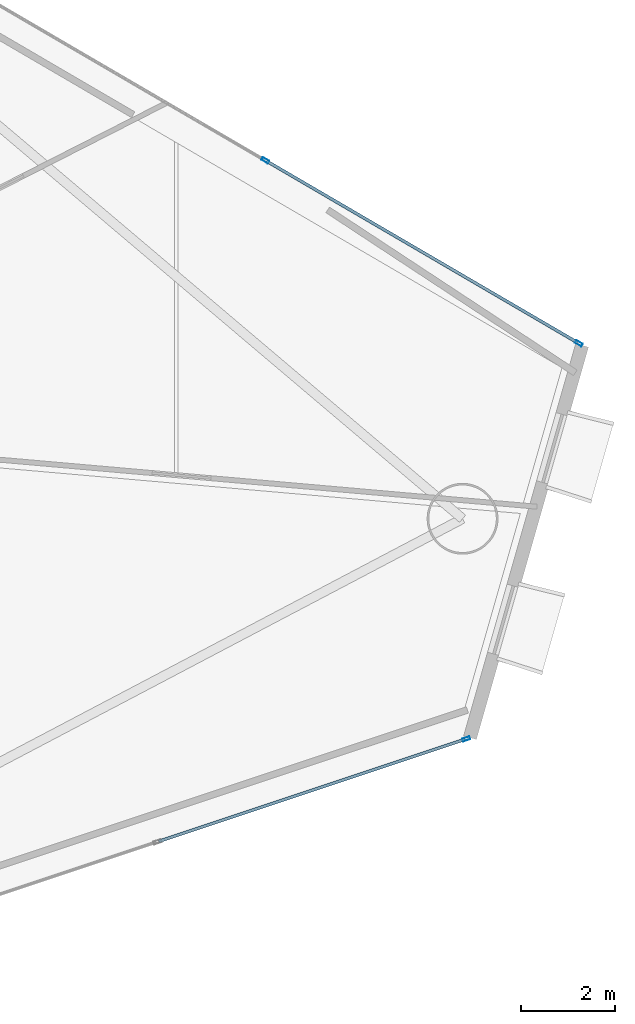
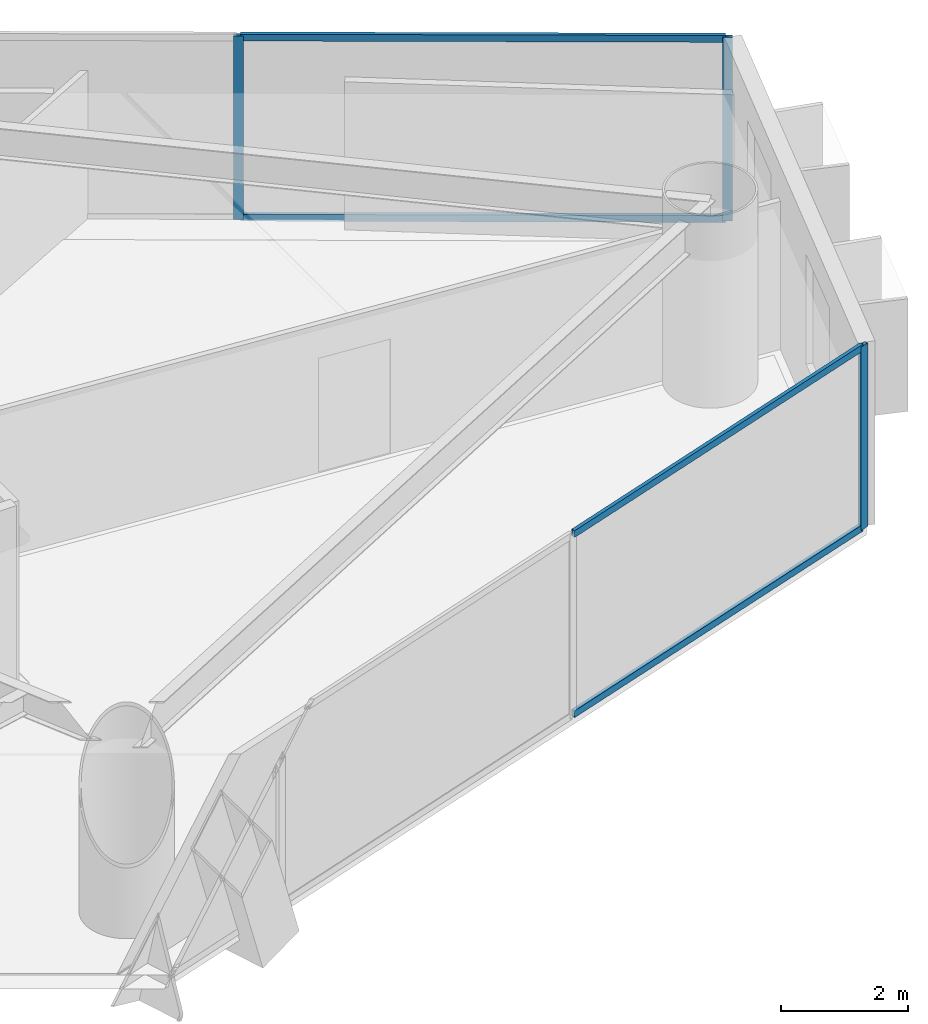
# One storey, part 11 of 19: 7 members, 2 elements without a shape of their own.
"""IFC4 building model written with IfcOpenShell, lengths in metres."""

from ifc_helpers import new_model, si_unit, direction, frame, origin, origin_2d, place, context, subcontext, project, spatial, hollow_rectangle, extrude, material, layer, layer_set, material_profile, profile_set, type_object, element, aggregate, save


model = new_model("IFC4")

# Units and contexts
model_context = context("Model", 3, precision=1e-05, world=origin(), true_north=direction((0.0, 1.0)))
body_context = subcontext(model_context, "Body", "Model", "MODEL_VIEW")
ifc_project = project(units=[si_unit("LENGTHUNIT", "METRE"), si_unit("AREAUNIT", "SQUARE_METRE"), si_unit("VOLUMEUNIT", "CUBIC_METRE"), si_unit("PLANEANGLEUNIT", "RADIAN"), si_unit("MASSUNIT", "GRAM", prefix="KILO")], contexts=[model_context])

# Site, building, storey
site_placement = place(None, origin())
site = spatial("IfcSite", under=ifc_project, at=site_placement, CompositionType="ELEMENT")
building_placement = place(site_placement, origin())
building = spatial("IfcBuilding", under=site, at=building_placement, Name="Qianvela Tower", CompositionType="ELEMENT")
storey_placement = place(building_placement, frame((0.0, 0.0, 120.0)))
storey = spatial("IfcBuildingStorey", under=building, at=storey_placement, Name="L30", CompositionType="ELEMENT", Elevation=120.0)

# Curtain wall, members
ifc_material_1 = material(Name="Anodised Architectural Aluminium and Low-E Glass", Category="aluminium")
ifc_layer = layer(ifc_material_1, 0.169921875)
ifc_layer_set = layer_set([ifc_layer], Name="Anodised Architectural Aluminium and Low-E Glass")
curtain_wall_type = type_object("IfcCurtainWallType", Name="CW-COLIV-Z34", PredefinedType="USERDEFINED", material=ifc_layer_set)
curtain_wall_1_placement = place(storey_placement, origin())
curtain_wall_1 = element("IfcCurtainWall", 1, at=curtain_wall_1_placement, inside=storey, type_object=curtain_wall_type, Name="L30 CW-COLIV-Z34 Curtain Wall 02A", ObjectType="CURTAIN_WALL_SYSTEM", PredefinedType="USERDEFINED")
ifc_material_2 = material(Name="Anodised Architectural Aluminium 6063-T6", Category="aluminium")
ifc_material_profile_1 = material_profile(ifc_material_2, hollow_rectangle(XDim=0.06494140625, YDim=0.159912109375, WallThickness=0.0048828125, at=origin_2d()), Name="ALU-MULL-65x160")
ifc_profile_set_1 = profile_set([ifc_material_profile_1], Name="Anodised Architectural Aluminium 6063-T6")
member_type_1 = type_object("IfcMemberType", Name="CW-COLIV-Z34-MULL", PredefinedType="MULLION", material=ifc_profile_set_1)
member_1_placement = place(storey_placement, frame((59.654296875, 27.670654296875, 0.0), z_axis=(0.0, 0.0, 1.0), x_axis=(-0.504123255422, -0.863631717425, 0.0)))
member_1 = element("IfcMember", 2, at=member_1_placement, type_object=member_type_1, Name="CW-4 mullion 1", PredefinedType="MULLION", context=body_context, shape_type="SweptSolid", body=[
    extrude(hollow_rectangle(XDim=0.06494140625, YDim=0.159912109375, WallThickness=0.0048828125, at=origin_2d()), origin(), (0.0, 0.0, 1.0), 3.52001953125),
])
member_2_placement = place(storey_placement, frame((53.019287109375, 31.543701171875, 0.0), z_axis=(0.0, 0.0, 1.0), x_axis=(-0.504123255422, -0.863631717425, 0.0)))
member_2 = element("IfcMember", 3, at=member_2_placement, type_object=member_type_1, Name="CW-4 mullion 2", PredefinedType="MULLION", context=body_context, shape_type="SweptSolid", body=[
    extrude(hollow_rectangle(XDim=0.06494140625, YDim=0.159912109375, WallThickness=0.0048828125, at=origin_2d()), origin(), (0.0, 0.0, 1.0), 3.52001953125),
])

# Curtain wall, member
curtain_wall_2_placement = place(storey_placement, origin())
curtain_wall_2 = element("IfcCurtainWall", 4, at=curtain_wall_2_placement, inside=storey, type_object=curtain_wall_type, Name="L30 CW-COLIV-Z34 Curtain Wall 06C", ObjectType="CURTAIN_WALL_SYSTEM", PredefinedType="USERDEFINED")
member_3_placement = place(storey_placement, frame((57.274658203125, 19.297607421875, 0.0), z_axis=(0.0, 0.0, 1.0), x_axis=(-0.316195277047, 0.948694127089, 0.0)))
member_3 = element("IfcMember", 5, at=member_3_placement, type_object=member_type_1, Name="CW-4 mullion 3", PredefinedType="MULLION", context=body_context, shape_type="SweptSolid", body=[
    extrude(hollow_rectangle(XDim=0.06494140625, YDim=0.159912109375, WallThickness=0.0048828125, at=origin_2d()), origin(), (0.0, 0.0, 1.0), 3.52001953125),
])

# Member
ifc_material_3 = material(Name="Anodised Architectural Aluminium 6063-T6", Category="aluminium")
ifc_material_profile_2 = material_profile(ifc_material_3, hollow_rectangle(XDim=0.06494140625, YDim=0.1298828125, WallThickness=0.00439453125, at=origin_2d()), Name="ALU-TRAN-65x130")
ifc_profile_set_2 = profile_set([ifc_material_profile_2], Name="Anodised Architectural Aluminium 6063-T6")
member_type_2 = type_object("IfcMemberType", Name="CW-COLIV-Z34-TRAN", PredefinedType="USERDEFINED", material=ifc_profile_set_2)
member_4_placement = place(storey_placement, frame((59.626220703125, 27.68701171875, 0.032470703125), z_axis=(-0.863640540287, 0.504108140356, 0.0), x_axis=(-0.504108140356, -0.863640540287, 0.0)))
member_4 = element("IfcMember", 6, at=member_4_placement, type_object=member_type_2, Name="CW-4 transom 1.1", ObjectType="TRANSOM", PredefinedType="USERDEFINED", context=body_context, shape_type="SweptSolid", body=[
    extrude(hollow_rectangle(XDim=0.06494140625, YDim=0.1298828125, WallThickness=0.00439453125, at=origin_2d()), origin(), (0.0, 0.0, 1.0), 7.61767578125),
])

member_5_placement = place(storey_placement, frame((59.626220703125, 27.68701171875, 3.487548828125), z_axis=(-0.863640540287, 0.504108140356, 0.0), x_axis=(-0.504108140356, -0.863640540287, 0.0)))
member_5 = element("IfcMember", 7, at=member_5_placement, type_object=member_type_2, Name="CW-4 transom 1.2", ObjectType="TRANSOM", PredefinedType="USERDEFINED", context=body_context, shape_type="SweptSolid", body=[
    extrude(hollow_rectangle(XDim=0.06494140625, YDim=0.1298828125, WallThickness=0.00439453125, at=origin_2d()), origin(), (0.0, 0.0, 1.0), 7.61767578125),
])

aggregate(curtain_wall_1, [member_1, member_2, member_4, member_5])

member_6_placement = place(storey_placement, frame((50.76611328125, 17.128173828125, 0.032470703125), z_axis=(0.948683298051, 0.316227766017, 0.0), x_axis=(-0.316227766017, 0.948683298051, 0.0)))
member_6 = element("IfcMember", 8, at=member_6_placement, type_object=member_type_2, Name="CW-4 transom 2.1", ObjectType="TRANSOM", PredefinedType="USERDEFINED", context=body_context, shape_type="SweptSolid", body=[
    extrude(hollow_rectangle(XDim=0.06494140625, YDim=0.1298828125, WallThickness=0.00439453125, at=origin_2d()), origin(), (0.0, 0.0, 1.0), 6.827880859375),
])

member_7_placement = place(storey_placement, frame((50.76611328125, 17.128173828125, 3.487548828125), z_axis=(0.948683298051, 0.316227766017, 0.0), x_axis=(-0.316227766017, 0.948683298051, 0.0)))
member_7 = element("IfcMember", 9, at=member_7_placement, type_object=member_type_2, Name="CW-4 transom 2.2", ObjectType="TRANSOM", PredefinedType="USERDEFINED", context=body_context, shape_type="SweptSolid", body=[
    extrude(hollow_rectangle(XDim=0.06494140625, YDim=0.1298828125, WallThickness=0.00439453125, at=origin_2d()), origin(), (0.0, 0.0, 1.0), 6.827880859375),
])

aggregate(curtain_wall_2, [member_3, member_6, member_7])

save(model, "model.ifc")
